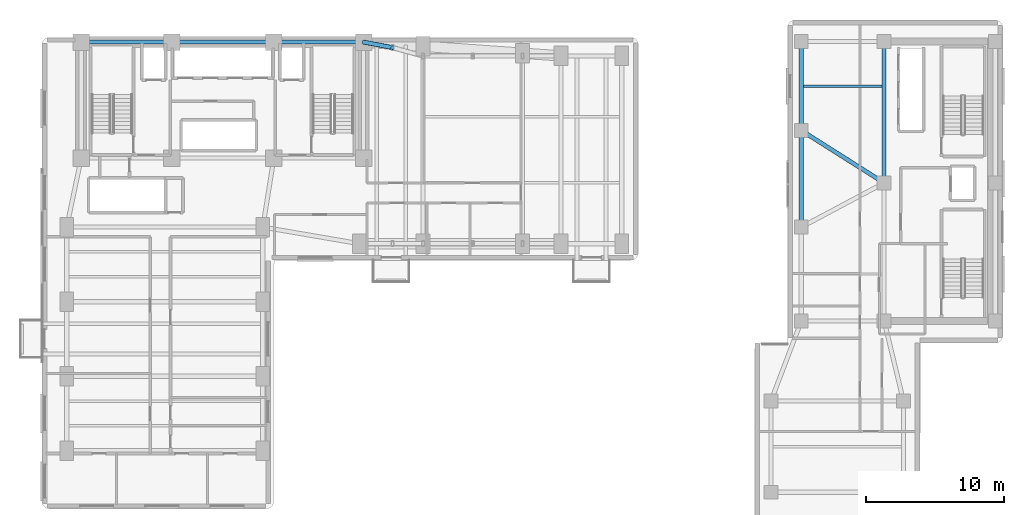
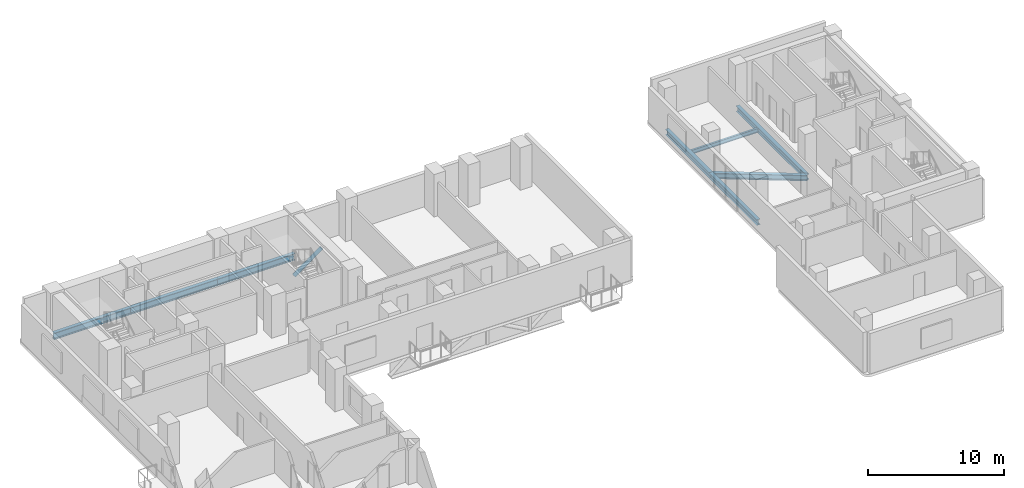
# One storey, part 5 of 15: 8 beams, 1 member.
"""IFC4 building model written with IfcOpenShell, lengths in metres."""

from ifc_helpers import new_model, si_unit, direction, frame, origin, origin_2d, place, context, subcontext, project, spatial, hollow_circle, i_section, extrude, material, material_profile, profile_set, type_object, element, save


model = new_model("IFC4")

# Units and contexts
model_context = context("Model", 3, precision=1e-05, world=origin(), true_north=direction((0.0, 1.0)))
body_context = subcontext(model_context, "Body", "Model", "MODEL_VIEW")
ifc_project = project(units=[si_unit("LENGTHUNIT", "METRE"), si_unit("AREAUNIT", "SQUARE_METRE"), si_unit("VOLUMEUNIT", "CUBIC_METRE"), si_unit("PLANEANGLEUNIT", "RADIAN"), si_unit("MASSUNIT", "GRAM", prefix="KILO")], contexts=[model_context])

# Site, building, storey
site_placement = place(None, origin())
site = spatial("IfcSite", under=ifc_project, at=site_placement, CompositionType="ELEMENT")
building_placement = place(site_placement, origin())
building = spatial("IfcBuilding", under=site, at=building_placement, Name="Kuzgunbayir Cultural Tower", CompositionType="ELEMENT")
storey_placement = place(building_placement, frame((0.0, 0.0, 39.800048828125)))
storey = spatial("IfcBuildingStorey", under=building, at=storey_placement, Name="L10", CompositionType="ELEMENT", Elevation=39.800048828125)

# Beams
ifc_material_1 = material(Name="Steel S355J2", Category="steel")
ifc_material_profile_1 = material_profile(ifc_material_1, i_section(OverallWidth=0.300048828125, OverallDepth=0.5, WebThickness=0.014404296875, FlangeThickness=0.028076171875, FilletRadius=0.027099609375, at=origin_2d()), Name="HEB 500")
ifc_profile_set_1 = profile_set([ifc_material_profile_1], Name="Steel S355J2")
beam_type_1 = type_object("IfcBeamType", Name="BM-EXT-HEB500", PredefinedType="BEAM", material=ifc_profile_set_1)
beam_1_placement = place(storey_placement, frame((58.60009765625, 28.800048828125, -0.489990234375), z_axis=(0.0, 1.0, 0.0), x_axis=(-1.0, 0.0, 0.0)))
element("IfcBeam", 1, at=beam_1_placement, inside=storey, type_object=beam_type_1, Name="L10 Companion West Girder", PredefinedType="BEAM", context=body_context, shape_type="SweptSolid", body=[
    extrude(i_section(OverallWidth=0.300048828125, OverallDepth=0.5, WebThickness=0.014404296875, FlangeThickness=0.028076171875, FilletRadius=0.027099609375, at=origin_2d()), origin(), (0.0, 0.0, 1.0), 7.0),
])
beam_2_placement = place(storey_placement, frame((58.60009765625, 35.800048828125, -0.489990234375), z_axis=(0.0, 1.0, 0.0), x_axis=(-1.0, 0.0, 0.0)))
element("IfcBeam", 2, at=beam_2_placement, inside=storey, type_object=beam_type_1, Name="L10 Companion West Girder", PredefinedType="BEAM", context=body_context, shape_type="SweptSolid", body=[
    extrude(i_section(OverallWidth=0.300048828125, OverallDepth=0.5, WebThickness=0.014404296875, FlangeThickness=0.028076171875, FilletRadius=0.027099609375, at=origin_2d()), origin(), (0.0, 0.0, 1.0), 6.449951171875),
])
ifc_material_profile_2 = material_profile(ifc_material_1, i_section(OverallWidth=0.300048828125, OverallDepth=0.5, WebThickness=0.014404296875, FlangeThickness=0.028076171875, FilletRadius=0.027099609375, at=origin_2d()), Name="HEB 500")
ifc_profile_set_2 = profile_set([ifc_material_profile_2], Name="Steel S355J2")
beam_type_2 = type_object("IfcBeamType", Name="BM-GIR-HEB500", PredefinedType="BEAM", material=ifc_profile_set_2)
beam_3_placement = place(storey_placement, frame((58.60009765625, 35.800048828125, -0.489990234375), z_axis=(0.844815967829, -0.535056988088, 0.0), x_axis=(0.535056988088, 0.844815967829, 0.0)))
element("IfcBeam", 3, at=beam_3_placement, inside=storey, type_object=beam_type_2, Name="L10 Companion Transverse Girder 3", PredefinedType="BEAM", context=body_context, shape_type="SweptSolid", body=[
    extrude(i_section(OverallWidth=0.300048828125, OverallDepth=0.5, WebThickness=0.014404296875, FlangeThickness=0.028076171875, FilletRadius=0.027099609375, at=origin_2d()), origin(), (0.0, 0.0, 1.0), 7.10205078125),
])
beam_4_placement = place(storey_placement, frame((64.60009765625, 32.0, -0.489990234375), z_axis=(0.0, 1.0, 0.0), x_axis=(-1.0, 0.0, 0.0)))
element("IfcBeam", 4, at=beam_4_placement, inside=storey, type_object=beam_type_2, Name="L10 Companion Core West Girder 2", PredefinedType="BEAM", context=body_context, shape_type="SweptSolid", body=[
    extrude(i_section(OverallWidth=0.300048828125, OverallDepth=0.5, WebThickness=0.014404296875, FlangeThickness=0.028076171875, FilletRadius=0.027099609375, at=origin_2d()), origin(), (0.0, 0.0, 1.0), 10.25),
])
ifc_material_profile_3 = material_profile(ifc_material_1, i_section(OverallWidth=0.300048828125, OverallDepth=0.60009765625, WebThickness=0.015380859375, FlangeThickness=0.030029296875, FilletRadius=0.027099609375, at=origin_2d()), Name="HEB 600")
ifc_profile_set_3 = profile_set([ifc_material_profile_3], Name="Steel S355J2")
beam_type_3 = type_object("IfcBeamType", Name="BM-GIR-HEB600", PredefinedType="BEAM", material=ifc_profile_set_3)
beam_5_placement = place(storey_placement, frame((6.449951171875, 42.199951171875, -0.5400390625), z_axis=(1.0, 0.0, 0.0), x_axis=(0.0, 1.0, 0.0)))
element("IfcBeam", 5, at=beam_5_placement, inside=storey, type_object=beam_type_3, Name="L10 Core North Girder 1", PredefinedType="BEAM", context=body_context, shape_type="SweptSolid", body=[
    extrude(i_section(OverallWidth=0.300048828125, OverallDepth=0.60009765625, WebThickness=0.015380859375, FlangeThickness=0.030029296875, FilletRadius=0.027099609375, at=origin_2d()), origin(), (0.0, 0.0, 1.0), 6.550048828125),
])
beam_6_placement = place(storey_placement, frame((13.0, 42.199951171875, -0.5400390625), z_axis=(1.0, 0.0, 0.0), x_axis=(0.0, 1.0, 0.0)))
element("IfcBeam", 6, at=beam_6_placement, inside=storey, type_object=beam_type_3, Name="L10 Core North Girder 2", PredefinedType="BEAM", context=body_context, shape_type="SweptSolid", body=[
    extrude(i_section(OverallWidth=0.300048828125, OverallDepth=0.60009765625, WebThickness=0.015380859375, FlangeThickness=0.030029296875, FilletRadius=0.027099609375, at=origin_2d()), origin(), (0.0, 0.0, 1.0), 7.39990234375),
])
beam_7_placement = place(storey_placement, frame((20.39990234375, 42.199951171875, -0.5400390625), z_axis=(1.0, 0.0, 0.0), x_axis=(0.0, 1.0, 0.0)))
element("IfcBeam", 7, at=beam_7_placement, inside=storey, type_object=beam_type_3, Name="L10 Core North Girder 3", PredefinedType="BEAM", context=body_context, shape_type="SweptSolid", body=[
    extrude(i_section(OverallWidth=0.300048828125, OverallDepth=0.60009765625, WebThickness=0.015380859375, FlangeThickness=0.030029296875, FilletRadius=0.027099609375, at=origin_2d()), origin(), (0.0, 0.0, 1.0), 6.5),
])
ifc_material_profile_4 = material_profile(ifc_material_1, i_section(OverallWidth=0.169921875, OverallDepth=0.360107421875, WebThickness=0.008056640625, FlangeThickness=0.0126953125, FilletRadius=0.01806640625, at=origin_2d()), Name="IPE 360")
ifc_profile_set_4 = profile_set([ifc_material_profile_4], Name="Steel S355J2")
beam_type_4 = type_object("IfcBeamType", Name="BM-JST-IPE360", PredefinedType="JOIST", material=ifc_profile_set_4)
beam_8_placement = place(storey_placement, frame((58.75, 39.0, -0.420166015625), z_axis=(1.0, 0.0, 0.0), x_axis=(0.0, 1.0, 0.0)))
element("IfcBeam", 8, at=beam_8_placement, inside=storey, type_object=beam_type_4, Name="L10 Companion Joist", PredefinedType="JOIST", context=body_context, shape_type="SweptSolid", body=[
    extrude(i_section(OverallWidth=0.169921875, OverallDepth=0.360107421875, WebThickness=0.008056640625, FlangeThickness=0.0126953125, FilletRadius=0.01806640625, at=origin_2d()), origin(), (0.0, 0.0, 1.0), 5.699951171875),
])

# Member
ifc_material_2 = material(Name="Steel S460M", Category="steel")
ifc_material_profile_5 = material_profile(ifc_material_2, hollow_circle(Radius=0.161865234375, WallThickness=0.01611328125, at=origin_2d()), Name="CHS 323.9x16")
ifc_profile_set_5 = profile_set([ifc_material_profile_5], Name="Steel S460M")
member_type = type_object("IfcMemberType", Name="MEM-PRT-CHS324", PredefinedType="BRACE", material=ifc_profile_set_5)
member_placement = place(storey_placement, frame((26.89990234375, 42.199951171875, -2.300048828125), z_axis=(0.717365796437, -0.136601392067, 0.683173750804), x_axis=(0.18705963059, 0.982348560646, 0.0)))
element("IfcMember", 9, at=member_placement, inside=storey, type_object=member_type, Name="L10 Void-Portal Bridge Truss Diagonal 6", PredefinedType="BRACE", context=body_context, shape_type="SweptSolid", body=[
    extrude(hollow_circle(Radius=0.161865234375, WallThickness=0.01611328125, at=origin_2d()), origin(), (0.0, 0.0, 1.0), 2.927490234375),
])

save(model, "model.ifc")
